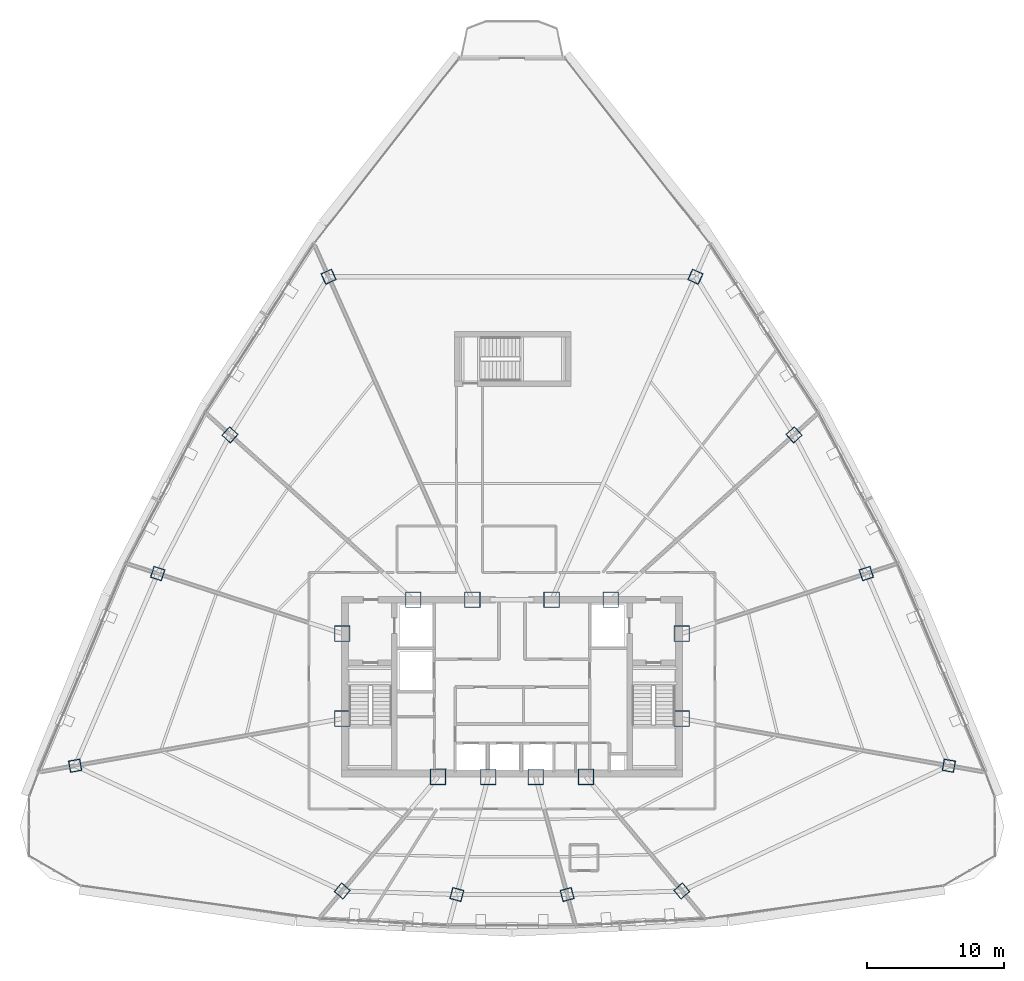
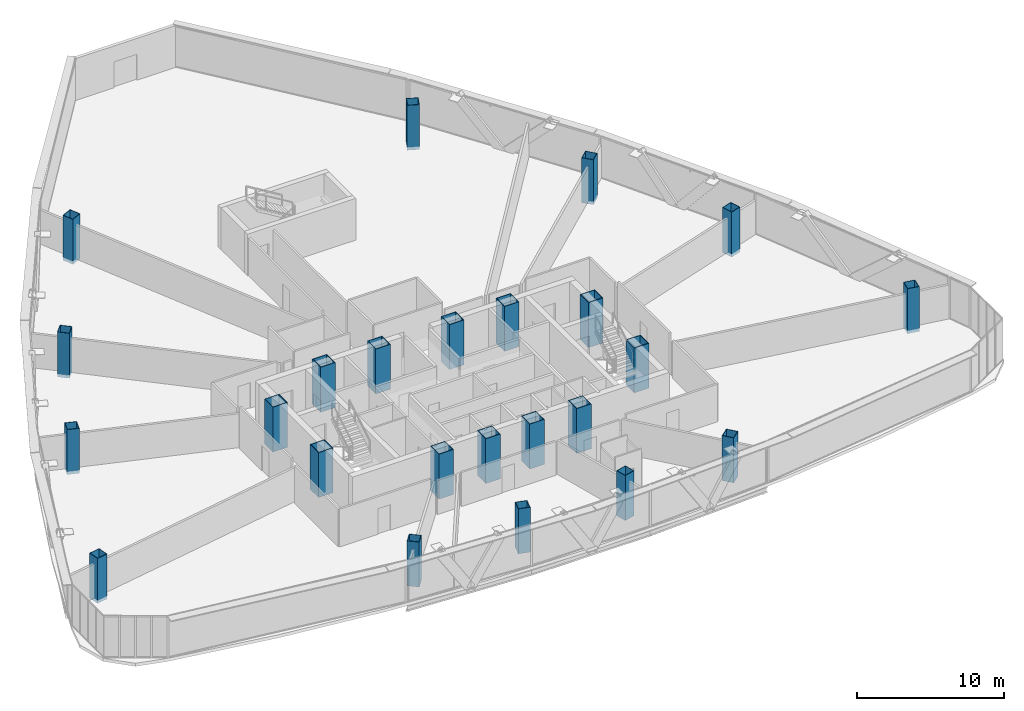
# One storey, part 1 of 36: 24 columns.
"""IFC4 building model written with IfcOpenShell, lengths in metres."""

from ifc_helpers import new_model, si_unit, direction, frame, origin, origin_2d, place, context, subcontext, project, spatial, hollow_rectangle, extrude, source, transform, mapped, material, material_profile, profile_set, type_object, element, save


model = new_model("IFC4")

# Units and contexts
model_context = context("Model", 3, precision=1e-05, world=origin(), true_north=direction((0.0, 1.0)))
body_context = subcontext(model_context, "Body", "Model", "MODEL_VIEW")
ifc_project = project(units=[si_unit("LENGTHUNIT", "METRE"), si_unit("AREAUNIT", "SQUARE_METRE"), si_unit("VOLUMEUNIT", "CUBIC_METRE"), si_unit("PLANEANGLEUNIT", "RADIAN"), si_unit("MASSUNIT", "GRAM", prefix="KILO"), si_unit("THERMODYNAMICTEMPERATUREUNIT", "KELVIN"), si_unit("POWERUNIT", "WATT")], contexts=[model_context])

# Site, building, storey
site_placement = place(None, origin())
site = spatial("IfcSite", under=ifc_project, at=site_placement, CompositionType="ELEMENT")
building_placement = place(site_placement, origin())
building = spatial("IfcBuilding", under=site, at=building_placement, Name="Yunzhuo Pagoda Commons", CompositionType="ELEMENT")
storey_placement = place(building_placement, frame((0.0, 0.0, 248.260009765625)))
storey = spatial("IfcBuildingStorey", under=building, at=storey_placement, Name="L62", CompositionType="ELEMENT", Elevation=248.260009765625)

# Columns
ifc_material_1 = material(Name="Structural steel Q420B", Category="steel")
ifc_material_profile_1 = material_profile(ifc_material_1, hollow_rectangle(XDim=1.14990234375, YDim=1.14990234375, WallThickness=0.048095703125, at=origin_2d()), Name="Structural steel Q420B")
ifc_profile_set_1 = profile_set([ifc_material_profile_1], Name="Structural steel Q420B")
column_type_1 = type_object("IfcColumnType", Name="C-COR Column BOX 1150x1150x48", PredefinedType="COLUMN", material=ifc_profile_set_1)
shared_shape_1 = source(origin(), body_context, "Body", "SweptSolid", [
    extrude(hollow_rectangle(XDim=1.14990234375, YDim=1.14990234375, WallThickness=0.048095703125, at=origin_2d()), origin(), (0.0, 0.0, 1.0), 3.730224609375),
])
for number, where, z_axis, x_axis, name in (
    (1, (42.587890625, 27.25, -0.260009765625), (0.0, 0.0, 1.0), (1.0, 0.0, 0.0), "L62 core composite column F1C1"),
    (2, (46.27197265625, 27.25, -0.260009765625), (0.0, 0.0, 1.0), (1.0, 0.0, 0.0), "L62 core composite column F1C2"),
    (3, (49.728515625, 27.25, -0.260009765625), (0.0, 0.0, 1.0), (1.0, 0.0, 0.0), "L62 core composite column F1C3"),
    (4, (53.412109375, 27.25, -0.260009765625), (0.0, 0.0, 1.0), (1.0, 0.0, 0.0), "L62 core composite column F1C4"),
    (5, (60.39990234375, 31.513427734375, -0.260009765625), (0.0, 0.0, 1.0), (1.0, 0.0, 0.0), "L62 core composite column F2C1"),
    (6, (60.39990234375, 37.72900390625, -0.260009765625), (0.0, 0.0, 1.0), (1.0, 0.0, 0.0), "L62 core composite column F2C2"),
    (7, (55.218994140625, 40.199951171875, -0.260009765625), (0.0, 0.0, 1.0), (1.0, 0.0, 0.0), "L62 core composite column F2C3"),
    (8, (50.89404296875, 40.199951171875, -0.260009765625), (0.0, 0.0, 1.0), (1.0, 0.0, 0.0), "L62 core composite column F2C4"),
    (9, (45.10595703125, 40.199951171875, -0.260009765625), (0.0, 0.0, 1.0), (1.0, 0.0, 0.0), "L62 core composite column F3C1"),
    (10, (40.781005859375, 40.199951171875, -0.260009765625), (0.0, 0.0, 1.0), (1.0, 0.0, 0.0), "L62 core composite column F3C2"),
    (11, (35.60009765625, 37.72900390625, -0.260009765625), (0.0, 0.0, 1.0), (1.0, 0.0, 0.0), "L62 core composite column F3C3"),
    (12, (35.60009765625, 31.513427734375, -0.260009765625), (0.0, 0.0, 1.0), (1.0, 0.0, 0.0), "L62 core composite column F3C4"),
):
    element("IfcColumn", number, at=place(storey_placement, frame(where, z_axis=z_axis, x_axis=x_axis)), inside=storey, type_object=column_type_1, Name=name, PredefinedType="COLUMN", context=body_context, shape_type="MappedRepresentation", body=[
        mapped(shared_shape_1, transform((0.0, 0.0, 0.0), scale=1.0)),
    ])
ifc_material_2 = material(Name="Structural steel Q355B", Category="steel")
ifc_material_profile_2 = material_profile(ifc_material_2, hollow_rectangle(XDim=0.85009765625, YDim=0.85009765625, WallThickness=0.033935546875, at=origin_2d()), Name="Structural steel Q355B")
ifc_profile_set_2 = profile_set([ifc_material_profile_2], Name="Structural steel Q355B")
column_type_2 = type_object("IfcColumnType", Name="C-Z5 Column BOX 850x850x34", PredefinedType="COLUMN", material=ifc_profile_set_2)
shared_shape_2 = source(origin(), body_context, "Body", "SweptSolid", [
    extrude(hollow_rectangle(XDim=0.85009765625, YDim=0.85009765625, WallThickness=0.033935546875, at=origin_2d()), origin(), (0.0, 0.0, 1.0), 3.730224609375),
])
for number, where, z_axis, x_axis, name in (
    (13, (35.593017578125, 18.913818359375, -0.260009765625), (0.0, 0.0, 1.0), (0.766044443119, -0.642787609687, 0.0), "L62 tower column F1C1"),
    (14, (43.968505859375, 18.654052734375, -0.260009765625), (0.0, 0.0, 1.0), (0.965925826289, -0.258819045103, 0.0), "L62 tower column F1C2"),
    (15, (52.031494140625, 18.654052734375, -0.260009765625), (0.0, 0.0, 1.0), (0.965925826289, 0.258819045103, 0.0), "L62 tower column F1C3"),
    (16, (60.406982421875, 18.913818359375, -0.260009765625), (0.0, 0.0, 1.0), (0.766044443119, 0.642787609687, 0.0), "L62 tower column F1C4"),
    (17, (79.93408203125, 28.069091796875, -0.260009765625), (0.0, 0.0, 1.0), (0.173648177667, 0.984807753012, 0.0), "L62 tower column F2C1"),
    (18, (73.898681640625, 42.114990234375, -0.260009765625), (0.0, 0.0, 1.0), (-0.309016994375, 0.951056516295, 0.0), "L62 tower column F2C2"),
    (19, (68.61181640625, 52.259033203125, -0.260009765625), (0.0, 0.0, 1.0), (-0.669130606359, 0.743144825477, 0.0), "L62 tower column F2C3"),
    (20, (61.40673828125, 63.81201171875, -0.260009765625), (0.0, 0.0, 1.0), (-0.913545457643, 0.406736643076, 0.0), "L62 tower column F2C4"),
    (21, (34.59326171875, 63.81201171875, -0.260009765625), (0.0, 0.0, 1.0), (-0.913545457643, -0.406736643076, 0.0), "L62 tower column F3C1"),
    (22, (27.38818359375, 52.259033203125, -0.260009765625), (0.0, 0.0, 1.0), (-0.669130606359, -0.743144825477, 0.0), "L62 tower column F3C2"),
    (23, (22.101806640625, 42.114990234375, -0.260009765625), (0.0, 0.0, 1.0), (-0.309016994375, -0.951056516295, 0.0), "L62 tower column F3C3"),
    (24, (16.06591796875, 28.069091796875, -0.260009765625), (0.0, 0.0, 1.0), (0.173648177667, -0.984807753012, 0.0), "L62 tower column F3C4"),
):
    element("IfcColumn", number, at=place(storey_placement, frame(where, z_axis=z_axis, x_axis=x_axis)), inside=storey, type_object=column_type_2, Name=name, PredefinedType="COLUMN", context=body_context, shape_type="MappedRepresentation", body=[
        mapped(shared_shape_2, transform((0.0, 0.0, 0.0), scale=1.0)),
    ])

save(model, "model.ifc")
